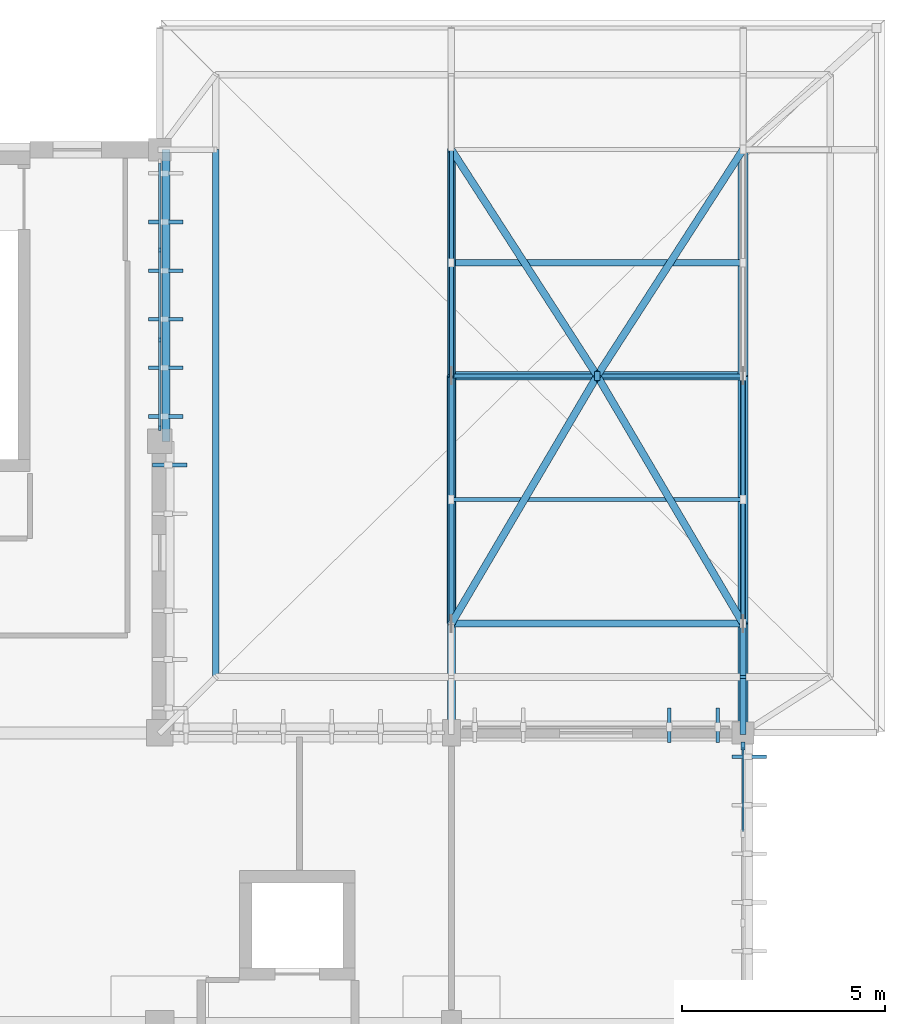
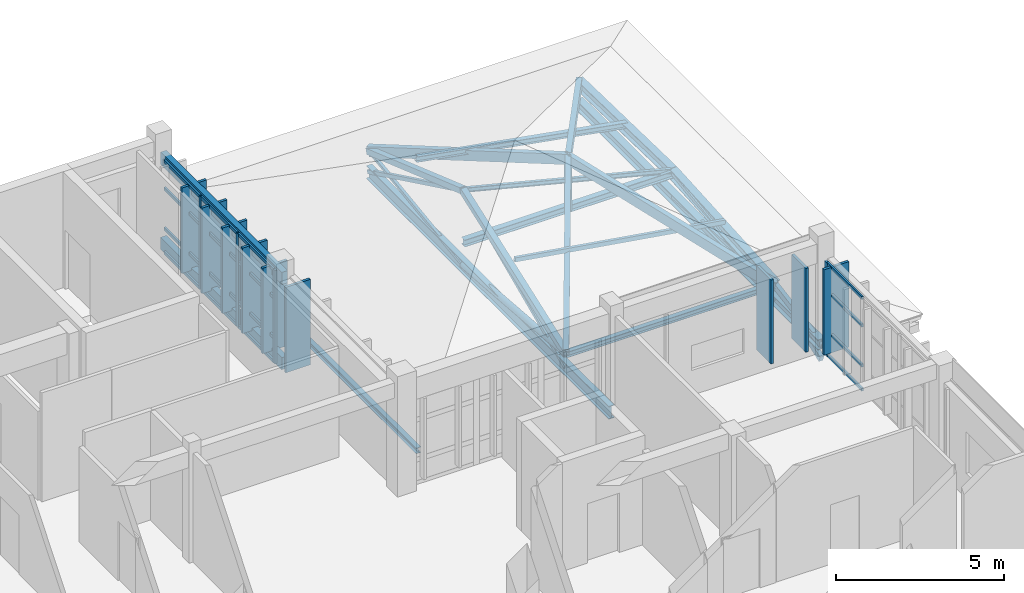
# One storey, part 16 of 51: 51 members, 5 beams, 2 elements without a shape of their own.
"""IFC4 building model written with IfcOpenShell, lengths in metres."""

from ifc_helpers import new_model, si_unit, direction, frame, origin, origin_2d, place, context, subcontext, project, spatial, rectangle, hollow_rectangle, hollow_circle, i_section, extrude, material, material_profile, profile_set, type_object, element, aggregate, save


model = new_model("IFC4")

# Units and contexts
model_context = context("Model", 3, precision=1e-05, world=origin(), true_north=direction((0.0, 1.0)))
body_context = subcontext(model_context, "Body", "Model", "MODEL_VIEW")
ifc_project = project(units=[si_unit("LENGTHUNIT", "METRE"), si_unit("AREAUNIT", "SQUARE_METRE"), si_unit("VOLUMEUNIT", "CUBIC_METRE"), si_unit("PLANEANGLEUNIT", "RADIAN"), si_unit("MASSUNIT", "GRAM", prefix="KILO")], contexts=[model_context])

# Site, building, storey
site_placement = place(None, origin())
site = spatial("IfcSite", under=ifc_project, at=site_placement, CompositionType="ELEMENT")
building_placement = place(site_placement, origin())
building = spatial("IfcBuilding", under=site, at=building_placement, Name="Steenspoor Specialist Clinic", CompositionType="ELEMENT")
storey_placement = place(building_placement, frame((0.0, 0.0, 17.39990234375)))
storey = spatial("IfcBuildingStorey", under=building, at=storey_placement, Name="L04", CompositionType="ELEMENT", Elevation=17.39990234375)

# Beams
ifc_material_1 = material(Name="Glulam GL28h", Category="wood")
ifc_material_profile_1 = material_profile(ifc_material_1, rectangle(XDim=0.199951171875, YDim=0.43994140625, at=origin_2d()), Name="GL28H-200X440")
ifc_profile_set_1 = profile_set([ifc_material_profile_1], Name="Glulam GL28h")
beam_type_1 = type_object("IfcBeamType", Name="BM-GL-200X440", PredefinedType="BEAM", material=ifc_profile_set_1)
for number, where, z_axis, x_axis, name in (
    (1, (132.550048828125, 108.35009765625, 0.14013671875), (0.0, -1.0, 0.0), (1.0, 0.0, 0.0), "Timber Screen Tie Rail V6 L04 282"),
    (2, (132.550048828125, 108.35009765625, 3.22998046875), (0.0, -1.0, 0.0), (1.0, 0.0, 0.0), "Timber Screen Tie Rail V6 L04 283"),
):
    element("IfcBeam", number, at=place(storey_placement, frame(where, z_axis=z_axis, x_axis=x_axis)), inside=storey, type_object=beam_type_1, Name=name, PredefinedType="BEAM", context=body_context, shape_type="SweptSolid", body=[
        extrude(rectangle(XDim=0.199951171875, YDim=0.43994140625, at=origin_2d()), origin(), (0.0, 0.0, 1.0), 7.2001953125),
    ])
ifc_material_2 = material(Name="Steel A992 Grade 50", Category="steel")
ifc_material_profile_2 = material_profile(ifc_material_2, i_section(OverallWidth=0.202880859375, OverallDepth=0.251953125, WebThickness=0.008056640625, FlangeThickness=0.013427734375, at=origin_2d()), Name="W250X58")
ifc_profile_set_2 = profile_set([ifc_material_profile_2], Name="Steel A992 Grade 50")
beam_type_2 = type_object("IfcBeamType", Name="BM-ST-W250X58", PredefinedType="JOIST", material=ifc_profile_set_2)
beam_1_placement = place(storey_placement, frame((139.60009765625, 102.764892578125, 1.069091796875), z_axis=(1.0, 0.0, 0.0), x_axis=(0.0, 1.0, 0.0)))
element("IfcBeam", 3, at=beam_1_placement, inside=storey, type_object=beam_type_2, Name="ROOF TRUSS Hip Ridge Tie V6T3", PredefinedType="JOIST", context=body_context, shape_type="SweptSolid", body=[
    extrude(i_section(OverallWidth=0.202880859375, OverallDepth=0.251953125, WebThickness=0.008056640625, FlangeThickness=0.013427734375, at=origin_2d()), origin(), (0.0, 0.0, 1.0), 7.199951171875),
])
ifc_material_profile_3 = material_profile(ifc_material_2, i_section(OverallWidth=0.257080078125, OverallDepth=0.363037109375, WebThickness=0.012939453125, FlangeThickness=0.021728515625, at=origin_2d()), Name="W360X122")
ifc_profile_set_3 = profile_set([ifc_material_profile_3], Name="Steel A992 Grade 50")
beam_type_3 = type_object("IfcBeamType", Name="BM-ST-W360X122", PredefinedType="BEAM", material=ifc_profile_set_3)
beam_2_placement = place(storey_placement, frame((146.800048828125, 93.949951171875, 0.20166015625), z_axis=(0.0, 1.0, 0.0), x_axis=(-1.0, 0.0, 0.0)))
element("IfcBeam", 4, at=beam_2_placement, inside=storey, type_object=beam_type_3, Name="ROOF TRUSS Bottom Tie Chord V6T3 3", PredefinedType="BEAM", context=body_context, shape_type="SweptSolid", body=[
    extrude(i_section(OverallWidth=0.257080078125, OverallDepth=0.363037109375, WebThickness=0.012939453125, FlangeThickness=0.021728515625, at=origin_2d()), origin(), (0.0, 0.0, 1.0), 14.400146484375),
])
ifc_material_profile_4 = material_profile(ifc_material_2, i_section(OverallWidth=0.193115234375, OverallDepth=0.466064453125, WebThickness=0.011474609375, FlangeThickness=0.01904296875, at=origin_2d()), Name="W460X97")
ifc_profile_set_4 = profile_set([ifc_material_profile_4], Name="Steel A992 Grade 50")
beam_type_4 = type_object("IfcBeamType", Name="BM-ST-W460X97", PredefinedType="BEAM", material=ifc_profile_set_4)
beam_3_placement = place(storey_placement, frame((139.60009765625, 93.949951171875, 0.253173828125), z_axis=(0.0, 1.0, 0.0), x_axis=(-1.0, 0.0, 0.0)))
element("IfcBeam", 5, at=beam_3_placement, inside=storey, type_object=beam_type_4, Name="ROOF TRUSS Bottom Tie Chord V6T3 2", PredefinedType="BEAM", context=body_context, shape_type="SweptSolid", body=[
    extrude(i_section(OverallWidth=0.193115234375, OverallDepth=0.466064453125, WebThickness=0.011474609375, FlangeThickness=0.01904296875, at=origin_2d()), origin(), (0.0, 0.0, 1.0), 14.400146484375),
])

# Curtain wall, members
ifc_material_3 = material(Name="Thermally broken aluminium and low-emissivity glass", Category="aluminium")
curtain_wall_type_1 = type_object("IfcCurtainWallType", Name="CW-TYP-240X355", PredefinedType="USERDEFINED", material=ifc_material_3)
curtain_wall_1_placement = place(storey_placement, origin())
curtain_wall_1 = element("IfcCurtainWall", 6, at=curtain_wall_1_placement, inside=storey, type_object=curtain_wall_type_1, Name="Unitised Curtain Wall CW-V6-L04-208", ObjectType="UNITISED GLAZING", PredefinedType="USERDEFINED")
ifc_material_4 = material(Name="Thermally broken aluminium 6063-T6", Category="aluminium")
ifc_material_profile_5 = material_profile(ifc_material_4, rectangle(XDim=0.06005859375, YDim=0.135009765625, at=origin_2d()), Name="CWM-60X135")
ifc_profile_set_5 = profile_set([ifc_material_profile_5], Name="Thermally broken aluminium 6063-T6")
member_type_1 = type_object("IfcMemberType", Name="CW-MULL-60X135", PredefinedType="MULLION", material=ifc_profile_set_5)
member_1_placement = place(storey_placement, frame((132.39990234375, 105.86669921875, 0.0), z_axis=(0.0, 0.0, 1.0), x_axis=(1.0, 0.0, 0.0)))
member_1 = element("IfcMember", 7, at=member_1_placement, type_object=member_type_1, Name="CW-16 mullion 2", PredefinedType="MULLION", context=body_context, shape_type="SweptSolid", body=[
    extrude(rectangle(XDim=0.06005859375, YDim=0.135009765625, at=origin_2d()), origin(), (0.0, 0.0, 1.0), 3.380126953125),
])
member_2_placement = place(storey_placement, frame((132.39990234375, 103.658447265625, 0.0), z_axis=(0.0, 0.0, 1.0), x_axis=(1.0, 0.0, 0.0)))
member_2 = element("IfcMember", 8, at=member_2_placement, type_object=member_type_1, Name="CW-16 mullion 3", PredefinedType="MULLION", context=body_context, shape_type="SweptSolid", body=[
    extrude(rectangle(XDim=0.06005859375, YDim=0.135009765625, at=origin_2d()), origin(), (0.0, 0.0, 1.0), 3.380126953125),
])
member_3_placement = place(storey_placement, frame((132.39990234375, 101.47998046875, 0.0), z_axis=(0.0, 0.0, 1.0), x_axis=(1.0, 0.0, 0.0)))
member_3 = element("IfcMember", 9, at=member_3_placement, type_object=member_type_1, Name="CW-16 mullion 4", PredefinedType="MULLION", context=body_context, shape_type="SweptSolid", body=[
    extrude(rectangle(XDim=0.06005859375, YDim=0.135009765625, at=origin_2d()), origin(), (0.0, 0.0, 1.0), 3.380126953125),
])

curtain_wall_type_2 = type_object("IfcCurtainWallType", Name="CW-TYP-540X355", PredefinedType="USERDEFINED", material=ifc_material_3)
curtain_wall_2_placement = place(storey_placement, origin())
curtain_wall_2 = element("IfcCurtainWall", 10, at=curtain_wall_2_placement, inside=storey, type_object=curtain_wall_type_2, Name="Unitised Curtain Wall CW-V6-L04-203", ObjectType="UNITISED GLAZING", PredefinedType="USERDEFINED")
ifc_material_profile_6 = material_profile(ifc_material_4, rectangle(XDim=0.090087890625, YDim=0.199951171875, at=origin_2d()), Name="CWM-90X200")
ifc_profile_set_6 = profile_set([ifc_material_profile_6], Name="Thermally broken aluminium 6063-T6")
member_type_2 = type_object("IfcMemberType", Name="CW-MULL-90X200", PredefinedType="MULLION", material=ifc_profile_set_6)
member_4_placement = place(storey_placement, frame((146.800048828125, 93.6298828125, 0.0), z_axis=(0.0, 0.0, 1.0), x_axis=(1.0, 0.0, 0.0)))
member_4 = element("IfcMember", 11, at=member_4_placement, type_object=member_type_2, Name="CW-11 mullion 1", PredefinedType="MULLION", context=body_context, shape_type="SweptSolid", body=[
    extrude(rectangle(XDim=0.090087890625, YDim=0.199951171875, at=origin_2d()), origin(), (0.0, 0.0, 1.0), 3.380126953125),
])
ifc_material_profile_7 = material_profile(ifc_material_4, rectangle(XDim=0.06005859375, YDim=0.114990234375, at=origin_2d()), Name="CWT-60X115")
ifc_profile_set_7 = profile_set([ifc_material_profile_7], Name="Thermally broken aluminium 6063-T6")
member_type_3 = type_object("IfcMemberType", Name="CW-TRAN-60X115", PredefinedType="USERDEFINED", material=ifc_profile_set_7)
member_5_placement = place(storey_placement, frame((146.800048828125, 93.5849609375, 0.030029296875), z_axis=(0.0, -1.0, 0.0), x_axis=(1.0, 0.0, 0.0)))
member_5 = element("IfcMember", 12, at=member_5_placement, type_object=member_type_3, Name="CW-11 transom 1.1", ObjectType="TRANSOM", PredefinedType="USERDEFINED", context=body_context, shape_type="SweptSolid", body=[
    extrude(rectangle(XDim=0.06005859375, YDim=0.114990234375, at=origin_2d()), origin(), (0.0, 0.0, 1.0), 2.0732421875),
])
member_6_placement = place(storey_placement, frame((146.800048828125, 93.5849609375, 0.900146484375), z_axis=(0.0, -1.0, 0.0), x_axis=(1.0, 0.0, 0.0)))
member_6 = element("IfcMember", 13, at=member_6_placement, type_object=member_type_3, Name="CW-11 transom 1.2", ObjectType="TRANSOM", PredefinedType="USERDEFINED", context=body_context, shape_type="SweptSolid", body=[
    extrude(rectangle(XDim=0.06005859375, YDim=0.114990234375, at=origin_2d()), origin(), (0.0, 0.0, 1.0), 2.0732421875),
])
member_7_placement = place(storey_placement, frame((146.800048828125, 93.5849609375, 2.35009765625), z_axis=(0.0, -1.0, 0.0), x_axis=(1.0, 0.0, 0.0)))
member_7 = element("IfcMember", 14, at=member_7_placement, type_object=member_type_3, Name="CW-11 transom 1.3", ObjectType="TRANSOM", PredefinedType="USERDEFINED", context=body_context, shape_type="SweptSolid", body=[
    extrude(rectangle(XDim=0.06005859375, YDim=0.114990234375, at=origin_2d()), origin(), (0.0, 0.0, 1.0), 2.0732421875),
])
member_8_placement = place(storey_placement, frame((146.800048828125, 93.5849609375, 3.35009765625), z_axis=(0.0, -1.0, 0.0), x_axis=(1.0, 0.0, 0.0)))
member_8 = element("IfcMember", 15, at=member_8_placement, type_object=member_type_3, Name="CW-11 transom 1.4", ObjectType="TRANSOM", PredefinedType="USERDEFINED", context=body_context, shape_type="SweptSolid", body=[
    extrude(rectangle(XDim=0.06005859375, YDim=0.114990234375, at=origin_2d()), origin(), (0.0, 0.0, 1.0), 2.0732421875),
])
aggregate(curtain_wall_2, [member_4, member_5, member_6, member_7, member_8])

# Member
member_9_placement = place(storey_placement, frame((132.39990234375, 108.014892578125, 0.030029296875), z_axis=(0.0, -1.0, 0.0), x_axis=(1.0, 0.0, 0.0)))
member_9 = element("IfcMember", 16, at=member_9_placement, type_object=member_type_3, Name="CW-16 transom 1.1", ObjectType="TRANSOM", PredefinedType="USERDEFINED", context=body_context, shape_type="SweptSolid", body=[
    extrude(rectangle(XDim=0.06005859375, YDim=0.114990234375, at=origin_2d()), origin(), (0.0, 0.0, 1.0), 2.1181640625),
])

member_10_placement = place(storey_placement, frame((132.39990234375, 108.014892578125, 0.900146484375), z_axis=(0.0, -1.0, 0.0), x_axis=(1.0, 0.0, 0.0)))
member_10 = element("IfcMember", 17, at=member_10_placement, type_object=member_type_3, Name="CW-16 transom 1.2", ObjectType="TRANSOM", PredefinedType="USERDEFINED", context=body_context, shape_type="SweptSolid", body=[
    extrude(rectangle(XDim=0.06005859375, YDim=0.114990234375, at=origin_2d()), origin(), (0.0, 0.0, 1.0), 2.1181640625),
])

member_11_placement = place(storey_placement, frame((132.39990234375, 108.014892578125, 2.35009765625), z_axis=(0.0, -1.0, 0.0), x_axis=(1.0, 0.0, 0.0)))
member_11 = element("IfcMember", 18, at=member_11_placement, type_object=member_type_3, Name="CW-16 transom 1.3", ObjectType="TRANSOM", PredefinedType="USERDEFINED", context=body_context, shape_type="SweptSolid", body=[
    extrude(rectangle(XDim=0.06005859375, YDim=0.114990234375, at=origin_2d()), origin(), (0.0, 0.0, 1.0), 2.1181640625),
])

member_12_placement = place(storey_placement, frame((132.39990234375, 108.014892578125, 3.35009765625), z_axis=(0.0, -1.0, 0.0), x_axis=(1.0, 0.0, 0.0)))
member_12 = element("IfcMember", 19, at=member_12_placement, type_object=member_type_3, Name="CW-16 transom 1.4", ObjectType="TRANSOM", PredefinedType="USERDEFINED", context=body_context, shape_type="SweptSolid", body=[
    extrude(rectangle(XDim=0.06005859375, YDim=0.114990234375, at=origin_2d()), origin(), (0.0, 0.0, 1.0), 2.1181640625),
])

member_13_placement = place(storey_placement, frame((132.39990234375, 105.836669921875, 0.030029296875), z_axis=(0.0, -1.0, 0.0), x_axis=(1.0, 0.0, 0.0)))
member_13 = element("IfcMember", 20, at=member_13_placement, type_object=member_type_3, Name="CW-16 transom 2.1", ObjectType="TRANSOM", PredefinedType="USERDEFINED", context=body_context, shape_type="SweptSolid", body=[
    extrude(rectangle(XDim=0.06005859375, YDim=0.114990234375, at=origin_2d()), origin(), (0.0, 0.0, 1.0), 2.1484375),
])

member_14_placement = place(storey_placement, frame((132.39990234375, 105.836669921875, 0.900146484375), z_axis=(0.0, -1.0, 0.0), x_axis=(1.0, 0.0, 0.0)))
member_14 = element("IfcMember", 21, at=member_14_placement, type_object=member_type_3, Name="CW-16 transom 2.2", ObjectType="TRANSOM", PredefinedType="USERDEFINED", context=body_context, shape_type="SweptSolid", body=[
    extrude(rectangle(XDim=0.06005859375, YDim=0.114990234375, at=origin_2d()), origin(), (0.0, 0.0, 1.0), 2.1484375),
])

member_15_placement = place(storey_placement, frame((132.39990234375, 105.836669921875, 2.35009765625), z_axis=(0.0, -1.0, 0.0), x_axis=(1.0, 0.0, 0.0)))
member_15 = element("IfcMember", 22, at=member_15_placement, type_object=member_type_3, Name="CW-16 transom 2.3", ObjectType="TRANSOM", PredefinedType="USERDEFINED", context=body_context, shape_type="SweptSolid", body=[
    extrude(rectangle(XDim=0.06005859375, YDim=0.114990234375, at=origin_2d()), origin(), (0.0, 0.0, 1.0), 2.1484375),
])

member_16_placement = place(storey_placement, frame((132.39990234375, 105.836669921875, 3.35009765625), z_axis=(0.0, -1.0, 0.0), x_axis=(1.0, 0.0, 0.0)))
member_16 = element("IfcMember", 23, at=member_16_placement, type_object=member_type_3, Name="CW-16 transom 2.4", ObjectType="TRANSOM", PredefinedType="USERDEFINED", context=body_context, shape_type="SweptSolid", body=[
    extrude(rectangle(XDim=0.06005859375, YDim=0.114990234375, at=origin_2d()), origin(), (0.0, 0.0, 1.0), 2.1484375),
])

member_17_placement = place(storey_placement, frame((132.39990234375, 103.62841796875, 0.030029296875), z_axis=(0.0, -1.0, 0.0), x_axis=(1.0, 0.0, 0.0)))
member_17 = element("IfcMember", 24, at=member_17_placement, type_object=member_type_3, Name="CW-16 transom 3.1", ObjectType="TRANSOM", PredefinedType="USERDEFINED", context=body_context, shape_type="SweptSolid", body=[
    extrude(rectangle(XDim=0.06005859375, YDim=0.114990234375, at=origin_2d()), origin(), (0.0, 0.0, 1.0), 2.118408203125),
])

member_18_placement = place(storey_placement, frame((132.39990234375, 103.62841796875, 0.900146484375), z_axis=(0.0, -1.0, 0.0), x_axis=(1.0, 0.0, 0.0)))
member_18 = element("IfcMember", 25, at=member_18_placement, type_object=member_type_3, Name="CW-16 transom 3.2", ObjectType="TRANSOM", PredefinedType="USERDEFINED", context=body_context, shape_type="SweptSolid", body=[
    extrude(rectangle(XDim=0.06005859375, YDim=0.114990234375, at=origin_2d()), origin(), (0.0, 0.0, 1.0), 2.118408203125),
])

member_19_placement = place(storey_placement, frame((132.39990234375, 103.62841796875, 2.35009765625), z_axis=(0.0, -1.0, 0.0), x_axis=(1.0, 0.0, 0.0)))
member_19 = element("IfcMember", 26, at=member_19_placement, type_object=member_type_3, Name="CW-16 transom 3.3", ObjectType="TRANSOM", PredefinedType="USERDEFINED", context=body_context, shape_type="SweptSolid", body=[
    extrude(rectangle(XDim=0.06005859375, YDim=0.114990234375, at=origin_2d()), origin(), (0.0, 0.0, 1.0), 2.118408203125),
])

member_20_placement = place(storey_placement, frame((132.39990234375, 103.62841796875, 3.35009765625), z_axis=(0.0, -1.0, 0.0), x_axis=(1.0, 0.0, 0.0)))
member_20 = element("IfcMember", 27, at=member_20_placement, type_object=member_type_3, Name="CW-16 transom 3.4", ObjectType="TRANSOM", PredefinedType="USERDEFINED", context=body_context, shape_type="SweptSolid", body=[
    extrude(rectangle(XDim=0.06005859375, YDim=0.114990234375, at=origin_2d()), origin(), (0.0, 0.0, 1.0), 2.118408203125),
])

aggregate(curtain_wall_1, [member_1, member_2, member_3, member_9, member_10, member_11, member_12, member_13, member_14, member_15, member_16, member_17, member_18, member_19, member_20])

# Members
ifc_material_5 = material(Name="Steel A500 Grade C", Category="steel")
ifc_material_profile_8 = material_profile(ifc_material_5, hollow_rectangle(XDim=0.126953125, YDim=0.126953125, WallThickness=0.0087890625, at=origin_2d()), Name="HSS127X127X9.5")
ifc_profile_set_8 = profile_set([ifc_material_profile_8], Name="Steel A500 Grade C")
member_type_4 = type_object("IfcMemberType", Name="MEM-BRACE-H127A", PredefinedType="BRACE", material=ifc_profile_set_8)
member_21_placement = place(storey_placement, frame((139.60009765625, 96.64990234375, 0.253173828125), z_axis=(0.0, 0.914352672057, 0.404918746295), x_axis=(-1.0, 0.0, 0.0)))
element("IfcMember", 28, at=member_21_placement, inside=storey, type_object=member_type_4, Name="ROOF TRUSS Web Brace V6T3 2.1", PredefinedType="BRACE", context=body_context, shape_type="SweptSolid", body=[
    extrude(hollow_rectangle(XDim=0.126953125, YDim=0.126953125, WallThickness=0.0087890625, at=origin_2d()), origin(), (0.0, 0.0, 1.0), 6.687744140625),
])
ifc_material_profile_9 = material_profile(ifc_material_5, hollow_rectangle(XDim=0.126953125, YDim=0.126953125, WallThickness=0.005859375, at=origin_2d()), Name="HSS127X127X6.4")
ifc_profile_set_9 = profile_set([ifc_material_profile_9], Name="Steel A500 Grade C")
member_type_5 = type_object("IfcMemberType", Name="MEM-BRACE-H127B", PredefinedType="BRACE", material=ifc_profile_set_9)
member_22_placement = place(storey_placement, frame((139.60009765625, 102.764892578125, 2.961181640625), z_axis=(0.0, 0.899812235599, -0.436277366668), x_axis=(-1.0, 0.0, 0.0)))
element("IfcMember", 29, at=member_22_placement, inside=storey, type_object=member_type_5, Name="ROOF TRUSS Web Brace V6T3 2.2", PredefinedType="BRACE", context=body_context, shape_type="SweptSolid", body=[
    extrude(hollow_rectangle(XDim=0.126953125, YDim=0.126953125, WallThickness=0.005859375, at=origin_2d()), origin(), (0.0, 0.0, 1.0), 6.20703125),
])
member_23_placement = place(storey_placement, frame((146.800048828125, 96.64990234375, 0.20166015625), z_axis=(0.0, 0.990088157332, 0.140447288018), x_axis=(-1.0, 0.0, 0.0)))
element("IfcMember", 30, at=member_23_placement, inside=storey, type_object=member_type_5, Name="ROOF TRUSS Web Brace V6T3 3.1", PredefinedType="BRACE", context=body_context, shape_type="SweptSolid", body=[
    extrude(hollow_rectangle(XDim=0.126953125, YDim=0.126953125, WallThickness=0.005859375, at=origin_2d()), origin(), (0.0, 0.0, 1.0), 6.17626953125),
])
ifc_material_profile_10 = material_profile(ifc_material_5, hollow_rectangle(XDim=0.203125, YDim=0.203125, WallThickness=0.01171875, at=origin_2d()), Name="HSS203X203X12.7")
ifc_profile_set_10 = profile_set([ifc_material_profile_10], Name="Steel A500 Grade C")
member_type_6 = type_object("IfcMemberType", Name="MEM-CHORD-H203", PredefinedType="CHORD", material=ifc_profile_set_10)
member_24_placement = place(storey_placement, frame((139.60009765625, 96.64990234375, 0.7412109375), z_axis=(0.0, 0.939974085775, 0.341245832313), x_axis=(-1.0, 0.0, 0.0)))
element("IfcMember", 31, at=member_24_placement, inside=storey, type_object=member_type_6, Name="ROOF TRUSS Top Chord V6T3 2.1", PredefinedType="CHORD", context=body_context, shape_type="SweptSolid", body=[
    extrude(hollow_rectangle(XDim=0.203125, YDim=0.203125, WallThickness=0.01171875, at=origin_2d()), origin(), (0.0, 0.0, 1.0), 6.50537109375),
])
member_25_placement = place(storey_placement, frame((139.60009765625, 102.764892578125, 2.961181640625), z_axis=(0.0, 0.94401200871, -0.329911090162), x_axis=(-1.0, 0.0, 0.0)))
element("IfcMember", 32, at=member_25_placement, inside=storey, type_object=member_type_6, Name="ROOF TRUSS Top Chord V6T3 2.2", PredefinedType="CHORD", context=body_context, shape_type="SweptSolid", body=[
    extrude(hollow_rectangle(XDim=0.203125, YDim=0.203125, WallThickness=0.01171875, at=origin_2d()), origin(), (0.0, 0.0, 1.0), 5.91650390625),
])
ifc_material_profile_11 = material_profile(ifc_material_2, i_section(OverallWidth=0.257080078125, OverallDepth=0.363037109375, WebThickness=0.012939453125, FlangeThickness=0.021728515625, at=origin_2d()), Name="W360X122")
ifc_profile_set_11 = profile_set([ifc_material_profile_11], Name="Steel A992 Grade 50")
member_type_7 = type_object("IfcMemberType", Name="MEM-CHORD-W360", PredefinedType="CHORD", material=ifc_profile_set_11)
member_26_placement = place(storey_placement, frame((146.800048828125, 96.64990234375, 0.669677734375), z_axis=(0.0, 0.997873632889, 0.065178315303), x_axis=(-1.0, 0.0, 0.0)))
element("IfcMember", 33, at=member_26_placement, inside=storey, type_object=member_type_7, Name="ROOF TRUSS Top Chord V6T3 3.1", PredefinedType="CHORD", context=body_context, shape_type="SweptSolid", body=[
    extrude(i_section(OverallWidth=0.257080078125, OverallDepth=0.363037109375, WebThickness=0.012939453125, FlangeThickness=0.021728515625, at=origin_2d()), origin(), (0.0, 0.0, 1.0), 6.1279296875),
])
member_27_placement = place(storey_placement, frame((146.800048828125, 102.764892578125, 1.069091796875), z_axis=(0.0, 0.999724614541, -0.023466893299), x_axis=(-1.0, 0.0, 0.0)))
element("IfcMember", 34, at=member_27_placement, inside=storey, type_object=member_type_7, Name="ROOF TRUSS Top Chord V6T3 3.2", PredefinedType="CHORD", context=body_context, shape_type="SweptSolid", body=[
    extrude(i_section(OverallWidth=0.257080078125, OverallDepth=0.363037109375, WebThickness=0.012939453125, FlangeThickness=0.021728515625, at=origin_2d()), origin(), (0.0, 0.0, 1.0), 5.586669921875),
])
ifc_material_profile_12 = material_profile(ifc_material_5, hollow_rectangle(XDim=0.1015625, YDim=0.15234375, WallThickness=0.005859375, at=origin_2d()), Name="HSS152X102X6.4")
ifc_profile_set_12 = profile_set([ifc_material_profile_12], Name="Steel A500 Grade C")
member_type_8 = type_object("IfcMemberType", Name="MEM-PURLIN-H152", PredefinedType="PURLIN", material=ifc_profile_set_12)
member_28_placement = place(storey_placement, frame((139.60009765625, 99.70751953125, 2.30322265625), z_axis=(0.987516577824, 0.0, -0.157515105696), x_axis=(0.0, 1.0, 0.0)))
element("IfcMember", 35, at=member_28_placement, inside=storey, type_object=member_type_8, Name="ROOF TRUSS Purlin 508", PredefinedType="PURLIN", context=body_context, shape_type="SweptSolid", body=[
    extrude(hollow_rectangle(XDim=0.1015625, YDim=0.15234375, WallThickness=0.005859375, at=origin_2d()), origin(), (0.0, 0.0, 1.0), 7.291015625),
])
ifc_material_profile_13 = material_profile(ifc_material_2, i_section(OverallWidth=0.10205078125, OverallDepth=0.159912109375, WebThickness=0.006591796875, FlangeThickness=0.01025390625, at=origin_2d()), Name="W150X24")
ifc_profile_set_13 = profile_set([ifc_material_profile_13], Name="Steel A992 Grade 50")
member_type_9 = type_object("IfcMemberType", Name="MEM-PURLIN-W150", PredefinedType="PURLIN", material=ifc_profile_set_13)
member_29_placement = place(storey_placement, frame((139.60009765625, 102.764892578125, 2.971923828125), z_axis=(0.969471691772, 0.0, -0.24520326028), x_axis=(0.0, 1.0, 0.0)))
element("IfcMember", 36, at=member_29_placement, inside=storey, type_object=member_type_9, Name="ROOF TRUSS Purlin 509", PredefinedType="PURLIN", context=body_context, shape_type="SweptSolid", body=[
    extrude(i_section(OverallWidth=0.10205078125, OverallDepth=0.159912109375, WebThickness=0.006591796875, FlangeThickness=0.01025390625, at=origin_2d()), origin(), (0.0, 0.0, 1.0), 7.4267578125),
])
ifc_material_profile_14 = material_profile(ifc_material_2, i_section(OverallWidth=0.1650390625, OverallDepth=0.200927734375, WebThickness=0.006103515625, FlangeThickness=0.01025390625, at=origin_2d()), Name="W200X36")
ifc_profile_set_14 = profile_set([ifc_material_profile_14], Name="Steel A992 Grade 50")
member_type_10 = type_object("IfcMemberType", Name="MEM-PURLIN-W200", PredefinedType="PURLIN", material=ifc_profile_set_14)
member_30_placement = place(storey_placement, frame((133.780029296875, 95.330078125, 0.065185546875), z_axis=(0.0, 1.0, 0.0), x_axis=(-1.0, 0.0, 0.0)))
element("IfcMember", 37, at=member_30_placement, inside=storey, type_object=member_type_10, Name="ROOF TRUSS Knuckle Purlin 503", PredefinedType="PURLIN", context=body_context, shape_type="SweptSolid", body=[
    extrude(i_section(OverallWidth=0.1650390625, OverallDepth=0.200927734375, WebThickness=0.006103515625, FlangeThickness=0.01025390625, at=origin_2d()), origin(), (0.0, 0.0, 1.0), 13.02001953125),
])
member_31_placement = place(storey_placement, frame((139.60009765625, 96.64990234375, 0.731201171875), z_axis=(1.0, 0.0, 0.0), x_axis=(0.0, 1.0, 0.0)))
element("IfcMember", 38, at=member_31_placement, inside=storey, type_object=member_type_10, Name="ROOF TRUSS Purlin 507", PredefinedType="PURLIN", context=body_context, shape_type="SweptSolid", body=[
    extrude(i_section(OverallWidth=0.1650390625, OverallDepth=0.200927734375, WebThickness=0.006103515625, FlangeThickness=0.01025390625, at=origin_2d()), origin(), (0.0, 0.0, 1.0), 7.199951171875),
])
member_32_placement = place(storey_placement, frame((139.60009765625, 105.5576171875, 2.4130859375), z_axis=(0.984504028338, 0.0, -0.17536196334), x_axis=(0.0, 1.0, 0.0)))
element("IfcMember", 39, at=member_32_placement, inside=storey, type_object=member_type_10, Name="ROOF TRUSS Purlin 510", PredefinedType="PURLIN", context=body_context, shape_type="SweptSolid", body=[
    extrude(i_section(OverallWidth=0.1650390625, OverallDepth=0.200927734375, WebThickness=0.006103515625, FlangeThickness=0.01025390625, at=origin_2d()), origin(), (0.0, 0.0, 1.0), 7.313232421875),
])
ifc_material_profile_15 = material_profile(ifc_material_1, rectangle(XDim=0.139892578125, YDim=0.219970703125, at=origin_2d()), Name="GL28H-140X220")
ifc_profile_set_15 = profile_set([ifc_material_profile_15], Name="Glulam GL28h")
member_type_11 = type_object("IfcMemberType", Name="MEM-RAFTER-GL220", PredefinedType="RAFTER", material=ifc_profile_set_15)
member_33_placement = place(storey_placement, frame((146.800048828125, 93.949951171875, -0.3349609375), z_axis=(0.0, 0.937624653648, 0.347649261285), x_axis=(-1.0, 0.0, 0.0)))
element("IfcMember", 40, at=member_33_placement, inside=storey, type_object=member_type_11, Name="ROOF TRUSS Knuckle Rafter V6T3 339", PredefinedType="RAFTER", context=body_context, shape_type="SweptSolid", body=[
    extrude(rectangle(XDim=0.139892578125, YDim=0.219970703125, at=origin_2d()), origin(), (0.0, 0.0, 1.0), 1.471923828125),
])
member_34_placement = place(storey_placement, frame((146.800048828125, 93.949951171875, 0.20166015625), z_axis=(0.0, 0.985306421129, 0.170795949842), x_axis=(-1.0, 0.0, 0.0)))
element("IfcMember", 41, at=member_34_placement, inside=storey, type_object=member_type_11, Name="ROOF TRUSS Heel Strut V6T3 S 3", PredefinedType="RAFTER", context=body_context, shape_type="SweptSolid", body=[
    extrude(rectangle(XDim=0.139892578125, YDim=0.219970703125, at=origin_2d()), origin(), (0.0, 0.0, 1.0), 2.740234375),
])
member_35_placement = place(storey_placement, frame((143.199951171875, 102.764892578125, 1.009033203125), z_axis=(0.0, 0.0, 1.0), x_axis=(1.0, 0.0, 0.0)))
element("IfcMember", 42, at=member_35_placement, inside=storey, type_object=member_type_11, Name="ROOF TRUSS Hip King Post V6T3 MID", PredefinedType="RAFTER", context=body_context, shape_type="SweptSolid", body=[
    extrude(rectangle(XDim=0.139892578125, YDim=0.219970703125, at=origin_2d()), origin(), (0.0, 0.0, 1.0), 1.887451171875),
])
ifc_material_profile_16 = material_profile(ifc_material_1, rectangle(XDim=0.179931640625, YDim=0.360107421875, at=origin_2d()), Name="GL28H-180X360")
ifc_profile_set_16 = profile_set([ifc_material_profile_16], Name="Glulam GL28h")
member_type_12 = type_object("IfcMemberType", Name="MEM-RAFTER-GL360", PredefinedType="RAFTER", material=ifc_profile_set_16)
member_36_placement = place(storey_placement, frame((139.60009765625, 96.64990234375, 0.7412109375), z_axis=(0.486168031846, 0.825842705571, 0.285699965815), x_axis=(-0.861761694131, 0.507313298198, 0.0)))
element("IfcMember", 43, at=member_36_placement, inside=storey, type_object=member_type_12, Name="ROOF TRUSS Hip Rafter V6T3 512", PredefinedType="RAFTER", context=body_context, shape_type="SweptSolid", body=[
    extrude(rectangle(XDim=0.179931640625, YDim=0.360107421875, at=origin_2d()), origin(), (0.0, 0.0, 1.0), 7.404541015625),
])
member_37_placement = place(storey_placement, frame((139.60009765625, 108.35009765625, 1.00927734375), z_axis=(0.521956993458, -0.809820965706, 0.267863585588), x_axis=(0.840536830173, 0.541754406649, 0.0)))
element("IfcMember", 44, at=member_37_placement, inside=storey, type_object=member_type_12, Name="ROOF TRUSS Hip Rafter V6T3 513", PredefinedType="RAFTER", context=body_context, shape_type="SweptSolid", body=[
    extrude(rectangle(XDim=0.179931640625, YDim=0.360107421875, at=origin_2d()), origin(), (0.0, 0.0, 1.0), 6.896728515625),
])
member_38_placement = place(storey_placement, frame((146.800048828125, 96.64990234375, 0.669677734375), z_axis=(-0.484834358285, 0.823521373387, 0.294530461245), x_axis=(-0.861746652385, -0.507338848408, 0.0)))
element("IfcMember", 45, at=member_38_placement, inside=storey, type_object=member_type_12, Name="ROOF TRUSS Hip Rafter V6T3 514", PredefinedType="RAFTER", context=body_context, shape_type="SweptSolid", body=[
    extrude(rectangle(XDim=0.179931640625, YDim=0.360107421875, at=origin_2d()), origin(), (0.0, 0.0, 1.0), 7.425537109375),
])
member_39_placement = place(storey_placement, frame((146.800048828125, 108.35009765625, 0.93798828125), z_axis=(-0.520515874707, -0.807530290632, 0.27741314657), x_axis=(0.840520099299, -0.54178036387, 0.0)))
element("IfcMember", 46, at=member_39_placement, inside=storey, type_object=member_type_12, Name="ROOF TRUSS Hip Rafter V6T3 515", PredefinedType="RAFTER", context=body_context, shape_type="SweptSolid", body=[
    extrude(rectangle(XDim=0.179931640625, YDim=0.360107421875, at=origin_2d()), origin(), (0.0, 0.0, 1.0), 6.91650390625),
])
ifc_material_profile_17 = material_profile(ifc_material_1, rectangle(XDim=0.090087890625, YDim=0.85009765625, at=origin_2d()), Name="GL28H-90X850")
ifc_profile_set_17 = profile_set([ifc_material_profile_17], Name="Glulam GL28h")
member_type_13 = type_object("IfcMemberType", Name="MEM-SCREEN-GL850", PredefinedType="STRUT", material=ifc_profile_set_17)
for number, where, z_axis, x_axis, name in (
    (47, (146.949951171875, 93.362548828125, 0.27001953125), (0.0, 0.0, 1.0), (0.0, -1.0, 0.0), "Glulam Timber Screen Fin SCR-FIN-V6-L04-0238"),
    (48, (132.550048828125, 106.5625, 0.27001953125), (0.0, 0.0, 1.0), (0.0, -1.0, 0.0), "Glulam Timber Screen Fin SCR-FIN-V6-L04-0285"),
    (49, (132.550048828125, 105.362548828125, 0.27001953125), (0.0, 0.0, 1.0), (0.0, -1.0, 0.0), "Glulam Timber Screen Fin SCR-FIN-V6-L04-0286"),
    (50, (132.550048828125, 104.16259765625, 0.27001953125), (0.0, 0.0, 1.0), (0.0, -1.0, 0.0), "Glulam Timber Screen Fin SCR-FIN-V6-L04-0287"),
    (51, (132.550048828125, 102.96240234375, 0.27001953125), (0.0, 0.0, 1.0), (0.0, -1.0, 0.0), "Glulam Timber Screen Fin SCR-FIN-V6-L04-0288"),
    (52, (132.550048828125, 101.762451171875, 0.27001953125), (0.0, 0.0, 1.0), (0.0, -1.0, 0.0), "Glulam Timber Screen Fin SCR-FIN-V6-L04-0289"),
    (53, (132.64990234375, 100.5625, 0.27001953125), (0.0, 0.0, 1.0), (0.0, -1.0, 0.0), "Glulam Timber Screen Fin SCR-FIN-V6-L04-0292"),
):
    element("IfcMember", number, at=place(storey_placement, frame(where, z_axis=z_axis, x_axis=x_axis)), inside=storey, type_object=member_type_13, Name=name, PredefinedType="STRUT", context=body_context, shape_type="SweptSolid", body=[
        extrude(rectangle(XDim=0.090087890625, YDim=0.85009765625, at=origin_2d()), origin(), (0.0, 0.0, 1.0), 3.10009765625),
    ])
for number, where, z_axis, x_axis, name in (
    (54, (144.97509765625, 94.139892578125, 0.27001953125), (0.0, 0.0, 1.0), (1.0, 0.0, 0.0), "Glulam Timber Screen Fin SCR-FIN-V6-L04-0309"),
    (55, (146.175048828125, 94.139892578125, 0.27001953125), (0.0, 0.0, 1.0), (1.0, 0.0, 0.0), "Glulam Timber Screen Fin SCR-FIN-V6-L04-0310"),
):
    element("IfcMember", number, at=place(storey_placement, frame(where, z_axis=z_axis, x_axis=x_axis)), inside=storey, type_object=member_type_13, Name=name, PredefinedType="STRUT", context=body_context, shape_type="SweptSolid", body=[
        extrude(rectangle(XDim=0.090087890625, YDim=0.85009765625, at=origin_2d()), origin(), (0.0, 0.0, 1.0), 3.0400390625),
    ])
ifc_material_profile_18 = material_profile(ifc_material_5, hollow_circle(Radius=0.109619140625, WallThickness=0.00830078125, at=origin_2d()), Name="CHS219X8.2")
ifc_profile_set_18 = profile_set([ifc_material_profile_18], Name="Steel A500 Grade C")
member_type_14 = type_object("IfcMemberType", Name="MEM-STRUT-CHS219", PredefinedType="STRUT", material=ifc_profile_set_18)
member_40_placement = place(storey_placement, frame((139.60009765625, 96.64990234375, 0.7412109375), z_axis=(0.0, 0.996830319614, -0.079556985224), x_axis=(-1.0, 0.0, 0.0)))
element("IfcMember", 56, at=member_40_placement, inside=storey, type_object=member_type_14, Name="ROOF TRUSS Web Strut V6T3 2.1", PredefinedType="STRUT", context=body_context, shape_type="SweptSolid", body=[
    extrude(hollow_circle(Radius=0.109619140625, WallThickness=0.00830078125, at=origin_2d()), origin(), (0.0, 0.0, 1.0), 6.134521484375),
])
ifc_material_profile_19 = material_profile(ifc_material_5, hollow_rectangle(XDim=0.1015625, YDim=0.1015625, WallThickness=0.005859375, at=origin_2d()), Name="HSS102X102X6.4")
ifc_profile_set_19 = profile_set([ifc_material_profile_19], Name="Steel A500 Grade C")
member_type_15 = type_object("IfcMemberType", Name="MEM-STRUT-H102", PredefinedType="STRUT", material=ifc_profile_set_19)
member_41_placement = place(storey_placement, frame((139.60009765625, 102.764892578125, 0.253173828125), z_axis=(0.0, 0.990960707362, 0.134152437413), x_axis=(-1.0, 0.0, 0.0)))
element("IfcMember", 57, at=member_41_placement, inside=storey, type_object=member_type_15, Name="ROOF TRUSS Web Strut V6T3 2.2", PredefinedType="STRUT", context=body_context, shape_type="SweptSolid", body=[
    extrude(hollow_rectangle(XDim=0.1015625, YDim=0.1015625, WallThickness=0.005859375, at=origin_2d()), origin(), (0.0, 0.0, 1.0), 5.63623046875),
])
member_42_placement = place(storey_placement, frame((146.800048828125, 96.64990234375, 0.669677734375), z_axis=(0.0, 0.997083916858, -0.076312926443), x_axis=(-1.0, 0.0, 0.0)))
element("IfcMember", 58, at=member_42_placement, inside=storey, type_object=member_type_15, Name="ROOF TRUSS Web Strut V6T3 3.1", PredefinedType="STRUT", context=body_context, shape_type="SweptSolid", body=[
    extrude(hollow_rectangle(XDim=0.1015625, YDim=0.1015625, WallThickness=0.005859375, at=origin_2d()), origin(), (0.0, 0.0, 1.0), 6.1328125),
])

save(model, "model.ifc")
